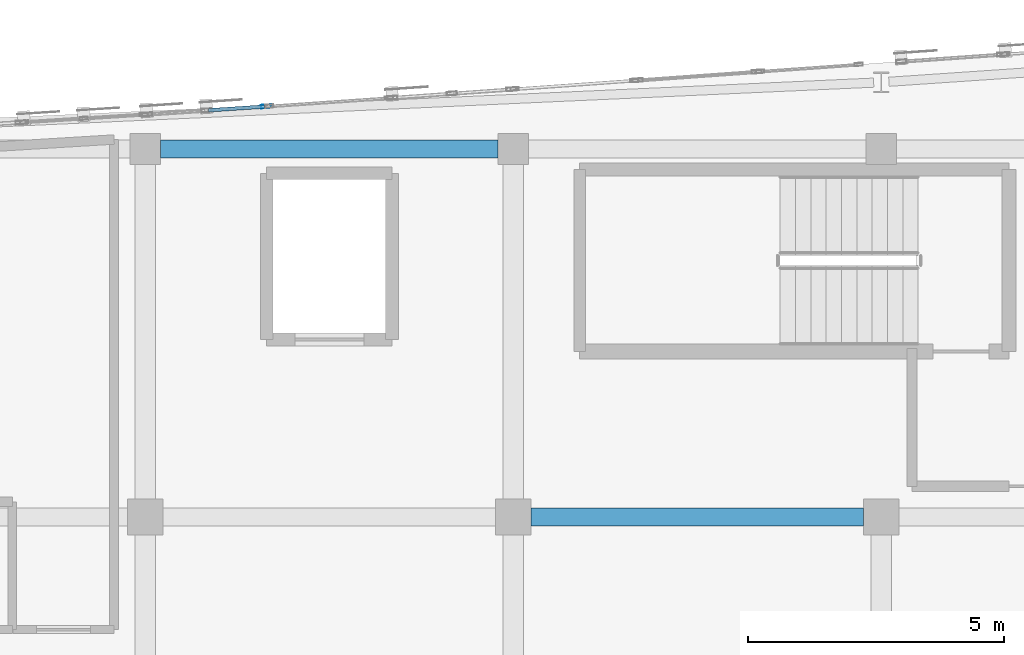
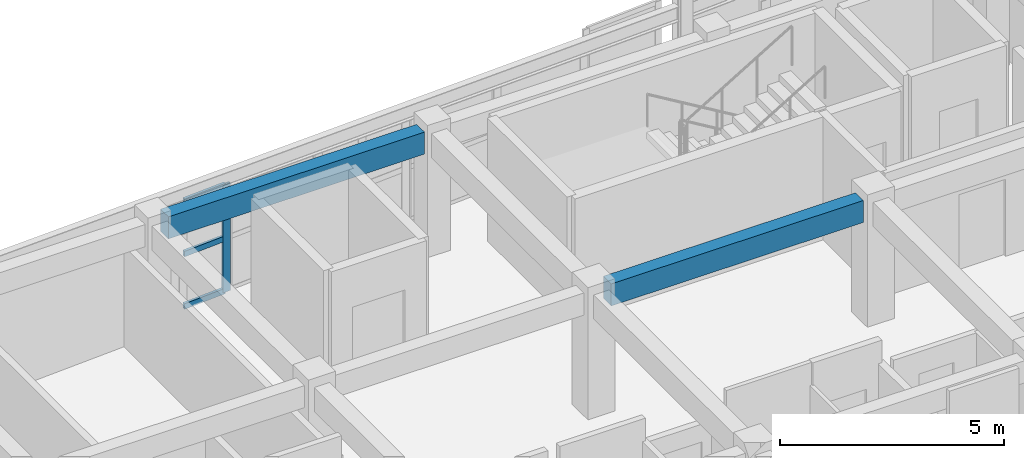
# One storey, part 9 of 50: 4 members, 2 beams, 1 element without a shape of its own.
"""IFC4 building model written with IfcOpenShell, lengths in metres."""

from ifc_helpers import new_model, si_unit, direction, frame, origin, origin_2d, place, context, subcontext, project, spatial, rectangle, hollow_rectangle, extrude, material, layer, layer_set, material_profile, profile_set, type_object, element, aggregate, save


model = new_model("IFC4")

# Units and contexts
model_context = context("Model", 3, precision=1e-05, world=origin(), true_north=direction((0.0, 1.0)))
body_context = subcontext(model_context, "Body", "Model", "MODEL_VIEW")
ifc_project = project(units=[si_unit("LENGTHUNIT", "METRE"), si_unit("AREAUNIT", "SQUARE_METRE"), si_unit("VOLUMEUNIT", "CUBIC_METRE"), si_unit("PLANEANGLEUNIT", "RADIAN"), si_unit("MASSUNIT", "GRAM", prefix="KILO")], contexts=[model_context])

# Site, building, storey
site_placement = place(None, origin())
site = spatial("IfcSite", under=ifc_project, at=site_placement, CompositionType="ELEMENT")
building_placement = place(site_placement, origin())
building = spatial("IfcBuilding", under=site, at=building_placement, Name="Carrowvane Square Congress Hotel", CompositionType="ELEMENT")
storey_placement = place(building_placement, frame((0.0, 0.0, 22.800048828125)))
storey = spatial("IfcBuildingStorey", under=building, at=storey_placement, Name="L05", CompositionType="ELEMENT", Elevation=22.800048828125)

# Beams
ifc_material_1 = material(Name="Concrete C35/45", Category="concrete")
ifc_material_profile_1 = material_profile(ifc_material_1, rectangle(XDim=0.35009765625, YDim=0.60009765625, at=origin_2d()), Name="RC 350x600")
ifc_profile_set_1 = profile_set([ifc_material_profile_1], Name="Concrete C35/45")
beam_type = type_object("IfcBeamType", Name="BM-RC-350x600", PredefinedType="BEAM", material=ifc_profile_set_1)
beam_1_placement = place(storey_placement, frame((55.14990234375, 106.199951171875, 3.050048828125), z_axis=(1.0, 0.0, 0.0), x_axis=(0.0, 1.0, 0.0)))
element("IfcBeam", 1, at=beam_1_placement, inside=storey, type_object=beam_type, Name="L06 girder Q/7-8", PredefinedType="BEAM", context=body_context, shape_type="SweptSolid", body=[
    extrude(rectangle(XDim=0.35009765625, YDim=0.60009765625, at=origin_2d()), origin(), (0.0, 0.0, 1.0), 6.5),
])
beam_2_placement = place(storey_placement, frame((47.89990234375, 113.39990234375, 3.050048828125), z_axis=(1.0, 0.0, 0.0), x_axis=(0.0, 1.0, 0.0)))
element("IfcBeam", 2, at=beam_2_placement, inside=storey, type_object=beam_type, Name="L06 girder R/6-7", PredefinedType="BEAM", context=body_context, shape_type="SweptSolid", body=[
    extrude(rectangle(XDim=0.35009765625, YDim=0.60009765625, at=origin_2d()), origin(), (0.0, 0.0, 1.0), 6.60009765625),
])

# Curtain wall, members
ifc_material_2 = material(Name="Anodised aluminium", Category="aluminium")
ifc_layer = layer(ifc_material_2, 0.24609375)
ifc_layer_set = layer_set([ifc_layer], Name="Anodised aluminium")
curtain_wall_type = type_object("IfcCurtainWallType", Name="CW-SYS-8", PredefinedType="NOTDEFINED", material=ifc_layer_set)
curtain_wall_placement = place(storey_placement, origin())
curtain_wall = element("IfcCurtainWall", 3, at=curtain_wall_placement, inside=storey, type_object=curtain_wall_type, Name="L05 unitised curtain wall 311", PredefinedType="NOTDEFINED")
ifc_material_3 = material(Name="Anodised aluminium", Category="aluminium")
ifc_material_profile_2 = material_profile(ifc_material_3, hollow_rectangle(XDim=0.070068359375, YDim=0.199951171875, WallThickness=0.0048828125, at=origin_2d()), Name="CW-ML 70x200x5")
ifc_profile_set_2 = profile_set([ifc_material_profile_2], Name="Anodised aluminium")
member_type_1 = type_object("IfcMemberType", Name="CW-MUL-2", PredefinedType="MULLION", material=ifc_profile_set_2)
member_1_placement = place(storey_placement, frame((49.965087890625, 114.233154296875, 0.0), z_axis=(0.0, 0.0, 1.0), x_axis=(-0.066578061501, 0.99778121937, 0.0)))
member_1 = element("IfcMember", 4, at=member_1_placement, type_object=member_type_1, Name="CW-8 mullion 3", PredefinedType="MULLION", context=body_context, shape_type="SweptSolid", body=[
    extrude(hollow_rectangle(XDim=0.070068359375, YDim=0.199951171875, WallThickness=0.0048828125, at=origin_2d()), origin(), (0.0, 0.0, 1.0), 2.925537109375),
])
ifc_material_4 = material(Name="Anodised aluminium", Category="aluminium")
ifc_material_profile_3 = material_profile(ifc_material_4, hollow_rectangle(XDim=0.070068359375, YDim=0.14990234375, WallThickness=0.0048828125, at=origin_2d()), Name="CW-TR 70x150x5")
ifc_profile_set_3 = profile_set([ifc_material_profile_3], Name="Anodised aluminium")
member_type_2 = type_object("IfcMemberType", Name="CW-TRN-2", PredefinedType="USERDEFINED", material=ifc_profile_set_3)
member_2_placement = place(storey_placement, frame((48.8349609375, 114.15771484375, 0.034912109375), z_axis=(0.997786141917, 0.066504247979, 0.0), x_axis=(-0.066504247979, 0.997786141917, 0.0)))
member_2 = element("IfcMember", 5, at=member_2_placement, type_object=member_type_2, Name="CW-8 transom 2.1", ObjectType="TRANSOM", PredefinedType="USERDEFINED", context=body_context, shape_type="SweptSolid", body=[
    extrude(hollow_rectangle(XDim=0.070068359375, YDim=0.14990234375, WallThickness=0.0048828125, at=origin_2d()), origin(), (0.0, 0.0, 1.0), 1.09765625),
])
member_3_placement = place(storey_placement, frame((48.8349609375, 114.15771484375, 1.462646484375), z_axis=(0.997786141917, 0.066504247979, 0.0), x_axis=(-0.066504247979, 0.997786141917, 0.0)))
member_3 = element("IfcMember", 6, at=member_3_placement, type_object=member_type_2, Name="CW-8 transom 2.2", ObjectType="TRANSOM", PredefinedType="USERDEFINED", context=body_context, shape_type="SweptSolid", body=[
    extrude(hollow_rectangle(XDim=0.070068359375, YDim=0.14990234375, WallThickness=0.0048828125, at=origin_2d()), origin(), (0.0, 0.0, 1.0), 1.09765625),
])
member_4_placement = place(storey_placement, frame((48.8349609375, 114.15771484375, 2.890625), z_axis=(0.997786141917, 0.066504247979, 0.0), x_axis=(-0.066504247979, 0.997786141917, 0.0)))
member_4 = element("IfcMember", 7, at=member_4_placement, type_object=member_type_2, Name="CW-8 transom 2.3", ObjectType="TRANSOM", PredefinedType="USERDEFINED", context=body_context, shape_type="SweptSolid", body=[
    extrude(hollow_rectangle(XDim=0.070068359375, YDim=0.14990234375, WallThickness=0.0048828125, at=origin_2d()), origin(), (0.0, 0.0, 1.0), 1.09765625),
])
aggregate(curtain_wall, [member_1, member_2, member_3, member_4])

save(model, "model.ifc")
